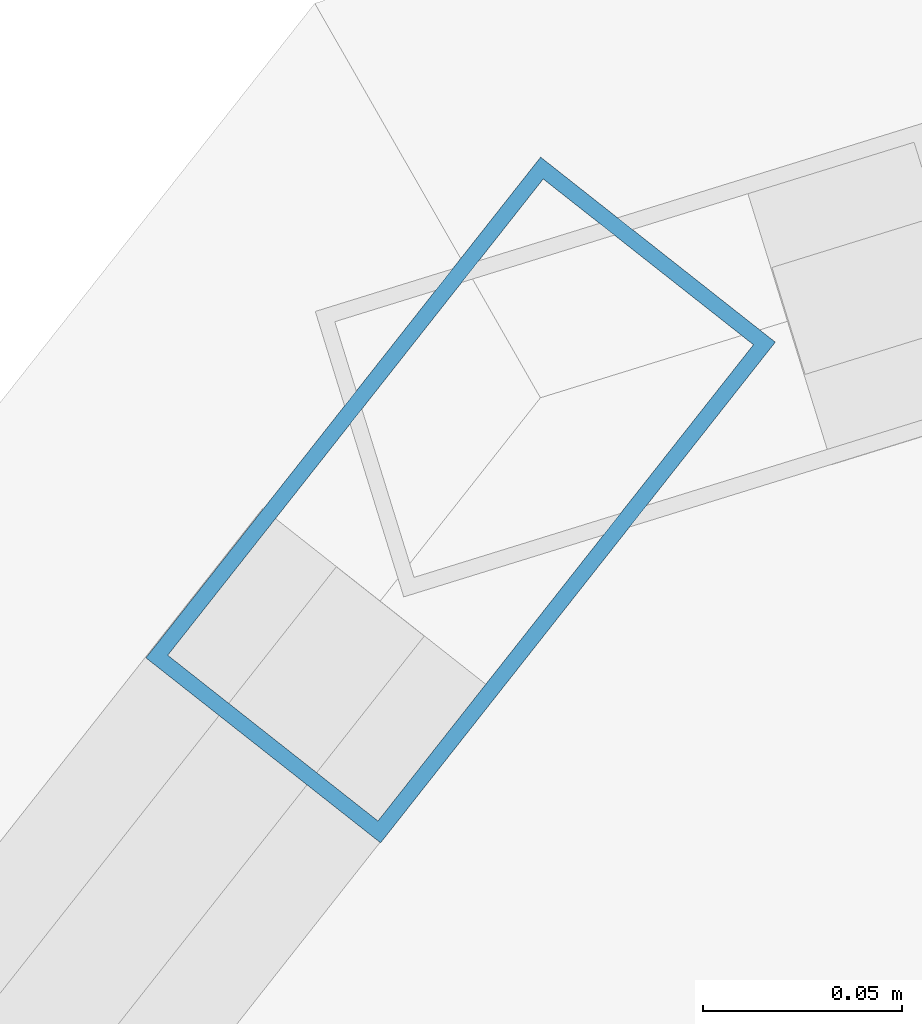
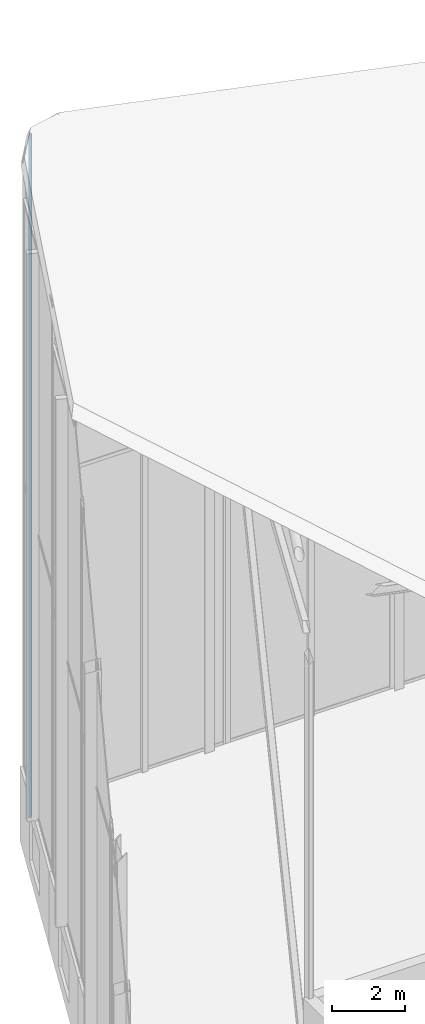
# One storey, part 38 of 74: 1 member, 1 element without a shape of its own.
"""IFC4 building model written with IfcOpenShell, lengths in metres."""

from ifc_helpers import new_model, si_unit, direction, frame, origin, origin_2d, place, context, subcontext, project, spatial, hollow_rectangle, extrude, material, layer, layer_set, material_profile, profile_set, type_object, element, aggregate, save


model = new_model("IFC4")

# Units and contexts
model_context = context("Model", 3, precision=1e-05, world=origin(), true_north=direction((0.0, 1.0)))
body_context = subcontext(model_context, "Body", "Model", "MODEL_VIEW")
ifc_project = project(units=[si_unit("LENGTHUNIT", "METRE"), si_unit("AREAUNIT", "SQUARE_METRE"), si_unit("VOLUMEUNIT", "CUBIC_METRE"), si_unit("PLANEANGLEUNIT", "RADIAN"), si_unit("MASSUNIT", "GRAM", prefix="KILO")], contexts=[model_context])

# Site, building, storey
site_placement = place(None, origin())
site = spatial("IfcSite", under=ifc_project, at=site_placement, CompositionType="ELEMENT")
building_placement = place(site_placement, origin())
building = spatial("IfcBuilding", under=site, at=building_placement, Name="Keshet Zoharim Tower", CompositionType="ELEMENT")
storey_placement = place(building_placement, frame((0.0, 0.0, 320.0)))
storey = spatial("IfcBuildingStorey", under=building, at=storey_placement, Name="RF", CompositionType="ELEMENT", Elevation=320.0)

# Curtain wall, member
ifc_material = material(Name="Aluminium 6063-T6", Category="aluminium")
ifc_layer = layer(ifc_material, 0.260009765625)
ifc_layer_set = layer_set([ifc_layer], Name="Aluminium 6063-T6")
curtain_wall_type = type_object("IfcCurtainWallType", Name="CW-SYS-06", PredefinedType="NOTDEFINED", material=ifc_layer_set)
curtain_wall_placement = place(storey_placement, origin())
curtain_wall = element("IfcCurtainWall", 1, at=curtain_wall_placement, inside=storey, type_object=curtain_wall_type, Name="Slanted Crown Curtain Wall 09", PredefinedType="NOTDEFINED")
ifc_material_profile = material_profile(ifc_material, hollow_rectangle(XDim=0.074951171875, YDim=0.159912109375, WallThickness=0.00390625, at=origin_2d()), Name="MUL-75x160")
ifc_profile_set = profile_set([ifc_material_profile], Name="Aluminium 6063-T6")
member_type = type_object("IfcMemberType", Name="CWM-M15", PredefinedType="MULLION", material=ifc_profile_set)
member_placement = place(storey_placement, frame((15.220947265625, 53.5234375, 0.0), z_axis=(0.0, 0.0, 1.0), x_axis=(-0.785292825205, 0.619124525989, 0.0)))
member = element("IfcMember", 2, at=member_placement, type_object=member_type, Name="CW-06 mullion 2", PredefinedType="MULLION", context=body_context, shape_type="SweptSolid", body=[
    extrude(hollow_rectangle(XDim=0.074951171875, YDim=0.159912109375, WallThickness=0.00390625, at=origin_2d()), origin(), (0.0, 0.0, 1.0), 22.7880859375),
])
aggregate(curtain_wall, [member])

save(model, "model.ifc")
